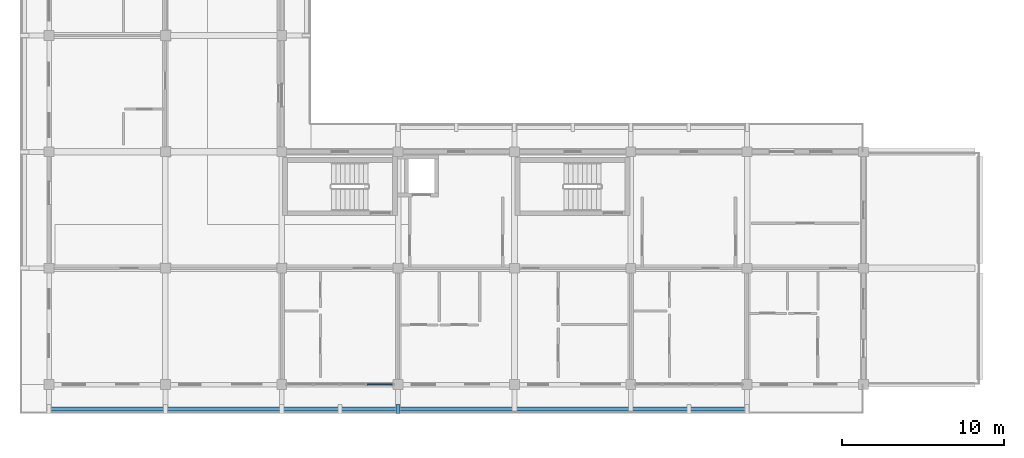
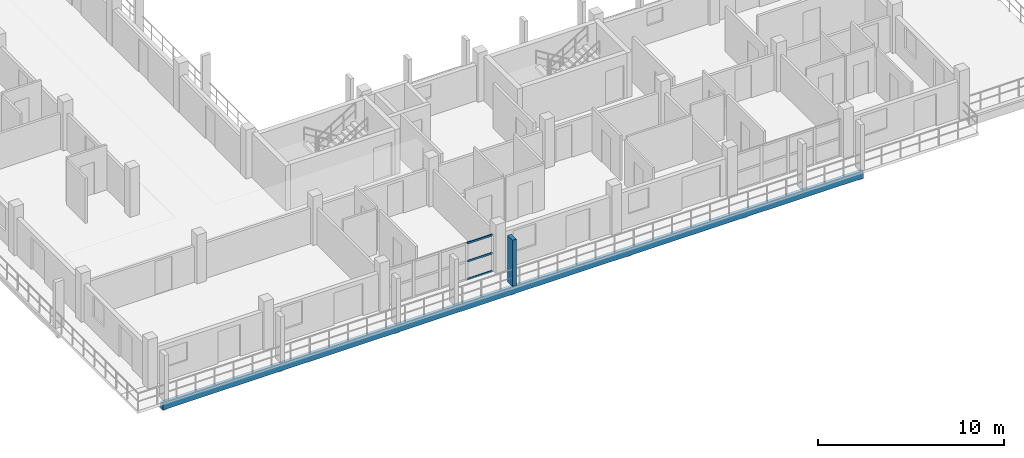
# One storey, part 5 of 78: 4 members, 1 beam, 1 element without a shape of its own.
"""IFC4 building model written with IfcOpenShell, lengths in metres."""

from ifc_helpers import new_model, si_unit, direction, frame, origin, origin_2d, place, context, subcontext, project, spatial, rectangle, hollow_rectangle, extrude, material, material_profile, profile_set, type_object, element, aggregate, save


model = new_model("IFC4")

# Units and contexts
model_context = context("Model", 3, precision=1e-05, world=origin(), true_north=direction((0.0, 1.0)))
body_context = subcontext(model_context, "Body", "Model", "MODEL_VIEW")
ifc_project = project(units=[si_unit("LENGTHUNIT", "METRE"), si_unit("AREAUNIT", "SQUARE_METRE"), si_unit("VOLUMEUNIT", "CUBIC_METRE"), si_unit("PLANEANGLEUNIT", "RADIAN"), si_unit("MASSUNIT", "GRAM", prefix="KILO")], contexts=[model_context])

# Site, building, storey
site_placement = place(None, origin())
site = spatial("IfcSite", under=ifc_project, at=site_placement, CompositionType="ELEMENT")
building_placement = place(site_placement, origin())
building = spatial("IfcBuilding", under=site, at=building_placement, Name="Suanplinth Sawtooth Commons", CompositionType="ELEMENT")
storey_placement = place(building_placement, frame((0.0, 0.0, 15.39990234375)))
storey = spatial("IfcBuildingStorey", under=building, at=storey_placement, Name="L04", CompositionType="ELEMENT", Elevation=15.39990234375)

# Beam
ifc_material_1 = material(Name="Precast concrete C40/50", Category="concrete")
ifc_material_profile_1 = material_profile(ifc_material_1, rectangle(XDim=0.25, YDim=0.449951171875, at=origin_2d()), Name="PC-SP 250x450")
ifc_profile_set_1 = profile_set([ifc_material_profile_1], Name="Precast concrete C40/50")
beam_type = type_object("IfcBeamType", Name="B-09", PredefinedType="SPANDREL", material=ifc_profile_set_1)
beam_placement = place(storey_placement, frame((-0.14990234375, -1.52001953125, -0.40478515625), z_axis=(1.0, 0.0, 0.0), x_axis=(0.0, 1.0, 0.0)))
element("IfcBeam", 1, at=beam_placement, inside=storey, type_object=beam_type, Name="Balcony Edge Fascia L04-D-S", PredefinedType="SPANDREL", context=body_context, shape_type="SweptSolid", body=[
    extrude(rectangle(XDim=0.25, YDim=0.449951171875, at=origin_2d()), origin(), (0.0, 0.0, 1.0), 43.5),
])

# Member
ifc_material_2 = material(Name="Pigmented precast concrete C40/50", Category="concrete")
ifc_material_profile_2 = material_profile(ifc_material_2, rectangle(XDim=0.25, YDim=0.5400390625, at=origin_2d()), Name="PC-FIN 250x540")
ifc_profile_set_2 = profile_set([ifc_material_profile_2], Name="Pigmented precast concrete C40/50")
member_type_1 = type_object("IfcMemberType", Name="M-11", PredefinedType="USERDEFINED", material=ifc_profile_set_2)
member_1_placement = place(storey_placement, frame((21.60009765625, -1.52001953125, 0.0), z_axis=(0.0, 0.0, 1.0), x_axis=(1.0, 0.0, 0.0)))
element("IfcMember", 2, at=member_1_placement, inside=storey, type_object=member_type_1, Name="Upright Solar Blade L04-D-S-05", ObjectType="SHADING FIN", PredefinedType="USERDEFINED", context=body_context, shape_type="SweptSolid", body=[
    extrude(rectangle(XDim=0.25, YDim=0.5400390625, at=origin_2d()), origin(), (0.0, 0.0, 1.0), 3.030029296875),
])

# Curtain wall, members
ifc_material_3 = material(Name="Anodized aluminium and low-E glazing", Category="aluminium")
curtain_wall_type = type_object("IfcCurtainWallType", Name="CW-06", PredefinedType="USERDEFINED", material=ifc_material_3)
curtain_wall_placement = place(storey_placement, origin())
curtain_wall = element("IfcCurtainWall", 3, at=curtain_wall_placement, inside=storey, type_object=curtain_wall_type, Name="Curtain Wall CW-L04-D-LOUNGE-2", ObjectType="CURTAIN WALL", PredefinedType="USERDEFINED")
ifc_material_4 = material(Name="Anodized aluminium 6063-T6", Category="aluminium")
ifc_material_profile_3 = material_profile(ifc_material_4, hollow_rectangle(XDim=0.06494140625, YDim=0.1201171875, WallThickness=0.00390625, at=origin_2d()), Name="ALU-TRN 65x120")
ifc_profile_set_3 = profile_set([ifc_material_profile_3], Name="Anodized aluminium 6063-T6")
member_type_2 = type_object("IfcMemberType", Name="M-15", PredefinedType="USERDEFINED", material=ifc_profile_set_3)
member_2_placement = place(storey_placement, frame((19.6826171875, 0.0, 0.03271484375), z_axis=(1.0, 0.0, 0.0), x_axis=(0.0, 1.0, 0.0)))
member_2 = element("IfcMember", 4, at=member_2_placement, type_object=member_type_2, Name="CW-06 transom 4.1", ObjectType="TRANSOM", PredefinedType="USERDEFINED", context=body_context, shape_type="SweptSolid", body=[
    extrude(hollow_rectangle(XDim=0.06494140625, YDim=0.1201171875, WallThickness=0.00390625, at=origin_2d()), origin(), (0.0, 0.0, 1.0), 1.552490234375),
])
member_3_placement = place(storey_placement, frame((19.6826171875, 0.0, 1.215087890625), z_axis=(1.0, 0.0, 0.0), x_axis=(0.0, 1.0, 0.0)))
member_3 = element("IfcMember", 5, at=member_3_placement, type_object=member_type_2, Name="CW-06 transom 4.2", ObjectType="TRANSOM", PredefinedType="USERDEFINED", context=body_context, shape_type="SweptSolid", body=[
    extrude(hollow_rectangle(XDim=0.06494140625, YDim=0.1201171875, WallThickness=0.00390625, at=origin_2d()), origin(), (0.0, 0.0, 1.0), 1.552490234375),
])
member_4_placement = place(storey_placement, frame((19.6826171875, 0.0, 2.397705078125), z_axis=(1.0, 0.0, 0.0), x_axis=(0.0, 1.0, 0.0)))
member_4 = element("IfcMember", 6, at=member_4_placement, type_object=member_type_2, Name="CW-06 transom 4.3", ObjectType="TRANSOM", PredefinedType="USERDEFINED", context=body_context, shape_type="SweptSolid", body=[
    extrude(hollow_rectangle(XDim=0.06494140625, YDim=0.1201171875, WallThickness=0.00390625, at=origin_2d()), origin(), (0.0, 0.0, 1.0), 1.552490234375),
])
aggregate(curtain_wall, [member_2, member_3, member_4])

save(model, "model.ifc")
